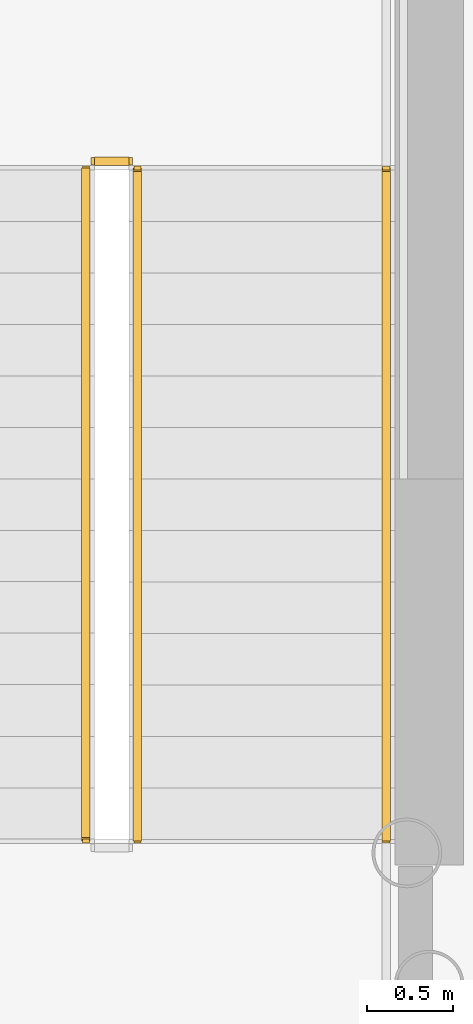
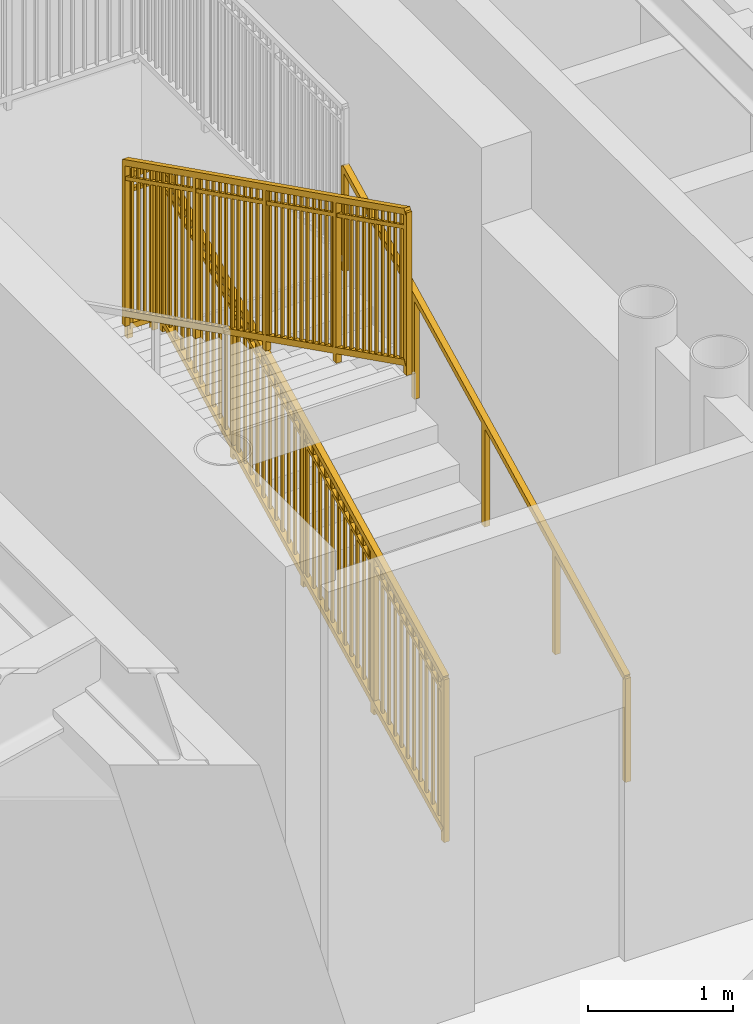
# One storey, part 15 of 20: 4 railings.
"""IFC4 building model written with IfcOpenShell, lengths in metres."""

from ifc_helpers import new_model, si_unit, direction, frame, origin, origin_2d, place, context, subcontext, project, spatial, rectangle, extrude, source, transform, mapped, material, type_object, element, save


model = new_model("IFC4")

# Units and contexts
model_context = context("Model", 3, precision=1e-05, world=origin(), true_north=direction((0.0, 1.0)))
body_context = subcontext(model_context, "Body", "Model", "MODEL_VIEW")
ifc_project = project(units=[si_unit("LENGTHUNIT", "METRE"), si_unit("AREAUNIT", "SQUARE_METRE"), si_unit("VOLUMEUNIT", "CUBIC_METRE"), si_unit("PLANEANGLEUNIT", "RADIAN"), si_unit("MASSUNIT", "GRAM", prefix="KILO")], contexts=[model_context])

# Site, building, storey
site_placement = place(None, origin())
site = spatial("IfcSite", under=ifc_project, at=site_placement, CompositionType="ELEMENT")
building_placement = place(site_placement, origin())
building = spatial("IfcBuilding", under=site, at=building_placement, Name="Linh Dai School and Residence Tower", CompositionType="ELEMENT")
storey_placement = place(building_placement, frame((0.0, 0.0, 66.0)))
storey = spatial("IfcBuildingStorey", under=building, at=storey_placement, Name="L15", CompositionType="ELEMENT", Elevation=66.0)

# Railings
ifc_material_1 = material(Name="Structural Steel S355JR", Category="steel")
railing_type_1 = type_object("IfcRailingType", Name="RL-ST-GUARD-1400", PredefinedType="GUARDRAIL", material=ifc_material_1)
shared_shape_1 = source(origin(), body_context, "Body", "SweptSolid", [
    extrude(rectangle(XDim=0.048095703125, YDim=0.048095703125, at=origin_2d()), frame((0.0, 0.0, 1.3759765625), z_axis=(-1.0, 0.0, 0.0), x_axis=(0.0, -1.0, 0.0)), (0.0, 0.0, 1.0), 0.199951171875),
    extrude(rectangle(XDim=0.048095703125, YDim=0.048095703125, at=origin_2d()), frame((0.0, 0.0, 0.10009765625), z_axis=(-1.0, 0.0, 0.0), x_axis=(0.0, -1.0, 0.0)), (0.0, 0.0, 1.0), 0.199951171875),
    extrude(rectangle(XDim=0.030029296875, YDim=0.030029296875, at=origin_2d()), frame((0.0, 0.0, 1.239990234375), z_axis=(-1.0, 0.0, 0.0), x_axis=(0.0, -1.0, 0.0)), (0.0, 0.0, 1.0), 0.199951171875),
    extrude(rectangle(XDim=0.0419921875, YDim=0.0419921875, at=origin_2d()), origin(), (0.0, 0.0, 1.0), 1.3759765625),
    extrude(rectangle(XDim=0.0419921875, YDim=0.0419921875, at=origin_2d()), frame((-0.199951171875, 0.0, 0.0)), (0.0, 0.0, 1.0), 1.3759765625),
])
railing_1_placement = place(storey_placement, frame((29.429931640625, 29.64990234375, 2.10009765625)))
element("IfcRailing", 1, at=railing_1_placement, inside=storey, type_object=railing_type_1, Name="L15 ST1 stair guard 2", PredefinedType="GUARDRAIL", context=body_context, shape_type="MappedRepresentation", body=[
    mapped(shared_shape_1, transform((0.0, 0.0, 0.0), x_axis=(1.0, 0.0, 0.0), y_axis=(0.0, 1.0, 0.0), z_axis=(0.0, 0.0, 1.0), scale=1.0)),
])
shared_shape_2 = source(origin(), body_context, "Body", "SweptSolid", [
    extrude(rectangle(XDim=0.048095703125, YDim=0.048095703125, at=origin_2d()), frame((0.0, 0.0, 1.3759765625), z_axis=(0.0, 0.894415993023, 0.447235990752), x_axis=(-1.0, 0.0, 0.0)), (0.0, 0.0, 1.0), 4.360595703125),
    extrude(rectangle(XDim=0.048095703125, YDim=0.048095703125, at=origin_2d()), frame((0.0, 0.0, 0.10009765625), z_axis=(0.0, 0.894415993023, 0.447235990752), x_axis=(-1.0, 0.0, 0.0)), (0.0, 0.0, 1.0), 4.360595703125),
    extrude(rectangle(XDim=0.030029296875, YDim=0.030029296875, at=origin_2d()), frame((0.0, 0.0, 1.239990234375), z_axis=(0.0, 0.894415993023, 0.447235990752), x_axis=(-1.0, 0.0, 0.0)), (0.0, 0.0, 1.0), 4.360595703125),
    extrude(rectangle(XDim=0.02001953125, YDim=0.02001953125, at=origin_2d()), frame((0.0, 0.086669921875, 0.1435546875)), (0.0, 0.0, 1.0), 1.251708984375),
    extrude(rectangle(XDim=0.02001953125, YDim=0.02001953125, at=origin_2d()), frame((0.0, 0.17333984375, 0.186767578125)), (0.0, 0.0, 1.0), 1.251708984375),
    extrude(rectangle(XDim=0.02001953125, YDim=0.02001953125, at=origin_2d()), frame((0.0, 0.260009765625, 0.230224609375)), (0.0, 0.0, 1.0), 1.251708984375),
    extrude(rectangle(XDim=0.02001953125, YDim=0.02001953125, at=origin_2d()), frame((0.0, 0.3466796875, 0.2734375)), (0.0, 0.0, 1.0), 1.251708984375),
    extrude(rectangle(XDim=0.02001953125, YDim=0.02001953125, at=origin_2d()), frame((0.0, 0.433349609375, 0.31689453125)), (0.0, 0.0, 1.0), 1.251708984375),
    extrude(rectangle(XDim=0.02001953125, YDim=0.02001953125, at=origin_2d()), frame((0.0, 0.52001953125, 0.360107421875)), (0.0, 0.0, 1.0), 1.251708984375),
    extrude(rectangle(XDim=0.02001953125, YDim=0.02001953125, at=origin_2d()), frame((0.0, 0.606689453125, 0.403564453125)), (0.0, 0.0, 1.0), 1.251708984375),
    extrude(rectangle(XDim=0.02001953125, YDim=0.02001953125, at=origin_2d()), frame((0.0, 0.693359375, 0.44677734375)), (0.0, 0.0, 1.0), 1.251708984375),
    extrude(rectangle(XDim=0.02001953125, YDim=0.02001953125, at=origin_2d()), frame((0.0, 0.780029296875, 0.490234375)), (0.0, 0.0, 1.0), 1.251708984375),
    extrude(rectangle(XDim=0.02001953125, YDim=0.02001953125, at=origin_2d()), frame((0.0, 0.86669921875, 0.533447265625)), (0.0, 0.0, 1.0), 1.251708984375),
    extrude(rectangle(XDim=0.02001953125, YDim=0.02001953125, at=origin_2d()), frame((0.0, 1.0400390625, 0.6201171875)), (0.0, 0.0, 1.0), 1.251708984375),
    extrude(rectangle(XDim=0.02001953125, YDim=0.02001953125, at=origin_2d()), frame((0.0, 1.126708984375, 0.66357421875)), (0.0, 0.0, 1.0), 1.251708984375),
    extrude(rectangle(XDim=0.02001953125, YDim=0.02001953125, at=origin_2d()), frame((0.0, 1.21337890625, 0.706787109375)), (0.0, 0.0, 1.0), 1.251708984375),
    extrude(rectangle(XDim=0.02001953125, YDim=0.02001953125, at=origin_2d()), frame((0.0, 1.300048828125, 0.750244140625)), (0.0, 0.0, 1.0), 1.251708984375),
    extrude(rectangle(XDim=0.02001953125, YDim=0.02001953125, at=origin_2d()), frame((0.0, 1.38671875, 0.79345703125)), (0.0, 0.0, 1.0), 1.251708984375),
    extrude(rectangle(XDim=0.02001953125, YDim=0.02001953125, at=origin_2d()), frame((0.0, 1.473388671875, 0.8369140625)), (0.0, 0.0, 1.0), 1.251708984375),
    extrude(rectangle(XDim=0.02001953125, YDim=0.02001953125, at=origin_2d()), frame((0.0, 1.56005859375, 0.880126953125)), (0.0, 0.0, 1.0), 1.251708984375),
    extrude(rectangle(XDim=0.02001953125, YDim=0.02001953125, at=origin_2d()), frame((0.0, 1.646728515625, 0.923583984375)), (0.0, 0.0, 1.0), 1.251708984375),
    extrude(rectangle(XDim=0.02001953125, YDim=0.02001953125, at=origin_2d()), frame((0.0, 1.7333984375, 0.966796875)), (0.0, 0.0, 1.0), 1.251708984375),
    extrude(rectangle(XDim=0.02001953125, YDim=0.02001953125, at=origin_2d()), frame((0.0, 1.820068359375, 1.01025390625)), (0.0, 0.0, 1.0), 1.251708984375),
    extrude(rectangle(XDim=0.02001953125, YDim=0.02001953125, at=origin_2d()), frame((0.0, 1.90673828125, 1.053466796875)), (0.0, 0.0, 1.0), 1.251708984375),
    extrude(rectangle(XDim=0.02001953125, YDim=0.02001953125, at=origin_2d()), frame((0.0, 1.993408203125, 1.096923828125)), (0.0, 0.0, 1.0), 1.251708984375),
    extrude(rectangle(XDim=0.02001953125, YDim=0.02001953125, at=origin_2d()), frame((0.0, 2.080078125, 1.14013671875)), (0.0, 0.0, 1.0), 1.251708984375),
    extrude(rectangle(XDim=0.02001953125, YDim=0.02001953125, at=origin_2d()), frame((0.0, 2.166748046875, 1.18359375)), (0.0, 0.0, 1.0), 1.251708984375),
    extrude(rectangle(XDim=0.02001953125, YDim=0.02001953125, at=origin_2d()), frame((0.0, 2.25341796875, 1.226806640625)), (0.0, 0.0, 1.0), 1.251708984375),
    extrude(rectangle(XDim=0.02001953125, YDim=0.02001953125, at=origin_2d()), frame((0.0, 2.340087890625, 1.270263671875)), (0.0, 0.0, 1.0), 1.251708984375),
    extrude(rectangle(XDim=0.02001953125, YDim=0.02001953125, at=origin_2d()), frame((0.0, 2.4267578125, 1.3134765625)), (0.0, 0.0, 1.0), 1.251708984375),
    extrude(rectangle(XDim=0.02001953125, YDim=0.02001953125, at=origin_2d()), frame((0.0, 2.513427734375, 1.35693359375)), (0.0, 0.0, 1.0), 1.251708984375),
    extrude(rectangle(XDim=0.02001953125, YDim=0.02001953125, at=origin_2d()), frame((0.0, 2.60009765625, 1.400146484375)), (0.0, 0.0, 1.0), 1.251708984375),
    extrude(rectangle(XDim=0.02001953125, YDim=0.02001953125, at=origin_2d()), frame((0.0, 2.686767578125, 1.443603515625)), (0.0, 0.0, 1.0), 1.251708984375),
    extrude(rectangle(XDim=0.02001953125, YDim=0.02001953125, at=origin_2d()), frame((0.0, 2.7734375, 1.48681640625)), (0.0, 0.0, 1.0), 1.251708984375),
    extrude(rectangle(XDim=0.02001953125, YDim=0.02001953125, at=origin_2d()), frame((0.0, 2.860107421875, 1.5302734375)), (0.0, 0.0, 1.0), 1.251708984375),
    extrude(rectangle(XDim=0.02001953125, YDim=0.02001953125, at=origin_2d()), frame((0.0, 3.033447265625, 1.616943359375)), (0.0, 0.0, 1.0), 1.251708984375),
    extrude(rectangle(XDim=0.02001953125, YDim=0.02001953125, at=origin_2d()), frame((0.0, 3.1201171875, 1.66015625)), (0.0, 0.0, 1.0), 1.251708984375),
    extrude(rectangle(XDim=0.02001953125, YDim=0.02001953125, at=origin_2d()), frame((0.0, 3.206787109375, 1.70361328125)), (0.0, 0.0, 1.0), 1.251708984375),
    extrude(rectangle(XDim=0.02001953125, YDim=0.02001953125, at=origin_2d()), frame((0.0, 3.29345703125, 1.746826171875)), (0.0, 0.0, 1.0), 1.251708984375),
    extrude(rectangle(XDim=0.02001953125, YDim=0.02001953125, at=origin_2d()), frame((0.0, 3.380126953125, 1.790283203125)), (0.0, 0.0, 1.0), 1.251708984375),
    extrude(rectangle(XDim=0.02001953125, YDim=0.02001953125, at=origin_2d()), frame((0.0, 3.466796875, 1.83349609375)), (0.0, 0.0, 1.0), 1.251708984375),
    extrude(rectangle(XDim=0.02001953125, YDim=0.02001953125, at=origin_2d()), frame((0.0, 3.553466796875, 1.876953125)), (0.0, 0.0, 1.0), 1.251708984375),
    extrude(rectangle(XDim=0.02001953125, YDim=0.02001953125, at=origin_2d()), frame((0.0, 3.64013671875, 1.920166015625)), (0.0, 0.0, 1.0), 1.251708984375),
    extrude(rectangle(XDim=0.02001953125, YDim=0.02001953125, at=origin_2d()), frame((0.0, 3.726806640625, 1.963623046875)), (0.0, 0.0, 1.0), 1.251708984375),
    extrude(rectangle(XDim=0.02001953125, YDim=0.02001953125, at=origin_2d()), frame((0.0, 3.8134765625, 2.0068359375)), (0.0, 0.0, 1.0), 1.251708984375),
    extrude(rectangle(XDim=0.0419921875, YDim=0.0419921875, at=origin_2d()), origin(), (0.0, 0.0, 1.0), 1.3759765625),
    extrude(rectangle(XDim=0.0419921875, YDim=0.0419921875, at=origin_2d()), frame((0.0, 0.97509765625, 0.487548828125)), (0.0, 0.0, 1.0), 1.3759765625),
    extrude(rectangle(XDim=0.0419921875, YDim=0.0419921875, at=origin_2d()), frame((0.0, 1.9501953125, 0.97509765625)), (0.0, 0.0, 1.0), 1.3759765625),
    extrude(rectangle(XDim=0.0419921875, YDim=0.0419921875, at=origin_2d()), frame((0.0, 2.925048828125, 1.462646484375)), (0.0, 0.0, 1.0), 1.3759765625),
    extrude(rectangle(XDim=0.0419921875, YDim=0.0419921875, at=origin_2d()), frame((0.0, 3.900146484375, 1.9501953125)), (0.0, 0.0, 1.0), 1.3759765625),
])
railing_2_placement = place(storey_placement, frame((29.47998046875, 25.699951171875, 0.14990234375)))
element("IfcRailing", 2, at=railing_2_placement, inside=storey, type_object=railing_type_1, Name="L15 ST1 stair guard 1", PredefinedType="GUARDRAIL", context=body_context, shape_type="MappedRepresentation", body=[
    mapped(shared_shape_2, transform((0.0, 0.0, 0.0), x_axis=(1.0, 0.0, 0.0), y_axis=(0.0, 1.0, 0.0), z_axis=(0.0, 0.0, 1.0), scale=1.0)),
])
shared_shape_3 = source(origin(), body_context, "Body", "SweptSolid", [
    extrude(rectangle(XDim=0.048095703125, YDim=0.048095703125, at=origin_2d()), frame((0.0, 0.0, 1.3759765625), z_axis=(0.0, -0.894438388696, 0.447191199406), x_axis=(1.0, 0.0, 0.0)), (0.0, 0.0, 1.0), 4.3603515625),
    extrude(rectangle(XDim=0.048095703125, YDim=0.048095703125, at=origin_2d()), frame((0.0, 0.0, 0.10009765625), z_axis=(0.0, -0.894438388696, 0.447191199406), x_axis=(1.0, 0.0, 0.0)), (0.0, 0.0, 1.0), 4.3603515625),
    extrude(rectangle(XDim=0.030029296875, YDim=0.030029296875, at=origin_2d()), frame((0.0, 0.0, 1.239990234375), z_axis=(0.0, -0.894438388696, 0.447191199406), x_axis=(1.0, 0.0, 0.0)), (0.0, 0.0, 1.0), 4.3603515625),
    extrude(rectangle(XDim=0.02001953125, YDim=0.02001953125, at=origin_2d()), frame((0.0, -0.086669921875, 0.143310546875)), (0.0, 0.0, 1.0), 1.251708984375),
    extrude(rectangle(XDim=0.02001953125, YDim=0.02001953125, at=origin_2d()), frame((0.0, -0.17333984375, 0.186767578125)), (0.0, 0.0, 1.0), 1.251708984375),
    extrude(rectangle(XDim=0.02001953125, YDim=0.02001953125, at=origin_2d()), frame((0.0, -0.260009765625, 0.22998046875)), (0.0, 0.0, 1.0), 1.251708984375),
    extrude(rectangle(XDim=0.02001953125, YDim=0.02001953125, at=origin_2d()), frame((0.0, -0.3466796875, 0.2734375)), (0.0, 0.0, 1.0), 1.251708984375),
    extrude(rectangle(XDim=0.02001953125, YDim=0.02001953125, at=origin_2d()), frame((0.0, -0.433349609375, 0.316650390625)), (0.0, 0.0, 1.0), 1.251708984375),
    extrude(rectangle(XDim=0.02001953125, YDim=0.02001953125, at=origin_2d()), frame((0.0, -0.52001953125, 0.360107421875)), (0.0, 0.0, 1.0), 1.251708984375),
    extrude(rectangle(XDim=0.02001953125, YDim=0.02001953125, at=origin_2d()), frame((0.0, -0.606689453125, 0.4033203125)), (0.0, 0.0, 1.0), 1.251708984375),
    extrude(rectangle(XDim=0.02001953125, YDim=0.02001953125, at=origin_2d()), frame((0.0, -0.693359375, 0.44677734375)), (0.0, 0.0, 1.0), 1.251708984375),
    extrude(rectangle(XDim=0.02001953125, YDim=0.02001953125, at=origin_2d()), frame((0.0, -0.780029296875, 0.489990234375)), (0.0, 0.0, 1.0), 1.251708984375),
    extrude(rectangle(XDim=0.02001953125, YDim=0.02001953125, at=origin_2d()), frame((0.0, -0.86669921875, 0.533447265625)), (0.0, 0.0, 1.0), 1.251708984375),
    extrude(rectangle(XDim=0.02001953125, YDim=0.02001953125, at=origin_2d()), frame((0.0, -1.0400390625, 0.6201171875)), (0.0, 0.0, 1.0), 1.251708984375),
    extrude(rectangle(XDim=0.02001953125, YDim=0.02001953125, at=origin_2d()), frame((0.0, -1.126708984375, 0.663330078125)), (0.0, 0.0, 1.0), 1.251708984375),
    extrude(rectangle(XDim=0.02001953125, YDim=0.02001953125, at=origin_2d()), frame((0.0, -1.21337890625, 0.706787109375)), (0.0, 0.0, 1.0), 1.251708984375),
    extrude(rectangle(XDim=0.02001953125, YDim=0.02001953125, at=origin_2d()), frame((0.0, -1.300048828125, 0.75)), (0.0, 0.0, 1.0), 1.251708984375),
    extrude(rectangle(XDim=0.02001953125, YDim=0.02001953125, at=origin_2d()), frame((0.0, -1.38671875, 0.79345703125)), (0.0, 0.0, 1.0), 1.251708984375),
    extrude(rectangle(XDim=0.02001953125, YDim=0.02001953125, at=origin_2d()), frame((0.0, -1.473388671875, 0.836669921875)), (0.0, 0.0, 1.0), 1.251708984375),
    extrude(rectangle(XDim=0.02001953125, YDim=0.02001953125, at=origin_2d()), frame((0.0, -1.56005859375, 0.880126953125)), (0.0, 0.0, 1.0), 1.251708984375),
    extrude(rectangle(XDim=0.02001953125, YDim=0.02001953125, at=origin_2d()), frame((0.0, -1.646728515625, 0.92333984375)), (0.0, 0.0, 1.0), 1.251708984375),
    extrude(rectangle(XDim=0.02001953125, YDim=0.02001953125, at=origin_2d()), frame((0.0, -1.7333984375, 0.966796875)), (0.0, 0.0, 1.0), 1.251708984375),
    extrude(rectangle(XDim=0.02001953125, YDim=0.02001953125, at=origin_2d()), frame((0.0, -1.820068359375, 1.010009765625)), (0.0, 0.0, 1.0), 1.251708984375),
    extrude(rectangle(XDim=0.02001953125, YDim=0.02001953125, at=origin_2d()), frame((0.0, -1.90673828125, 1.053466796875)), (0.0, 0.0, 1.0), 1.251708984375),
    extrude(rectangle(XDim=0.02001953125, YDim=0.02001953125, at=origin_2d()), frame((0.0, -1.993408203125, 1.0966796875)), (0.0, 0.0, 1.0), 1.251708984375),
    extrude(rectangle(XDim=0.02001953125, YDim=0.02001953125, at=origin_2d()), frame((0.0, -2.080078125, 1.14013671875)), (0.0, 0.0, 1.0), 1.251708984375),
    extrude(rectangle(XDim=0.02001953125, YDim=0.02001953125, at=origin_2d()), frame((0.0, -2.166748046875, 1.183349609375)), (0.0, 0.0, 1.0), 1.251708984375),
    extrude(rectangle(XDim=0.02001953125, YDim=0.02001953125, at=origin_2d()), frame((0.0, -2.25341796875, 1.226806640625)), (0.0, 0.0, 1.0), 1.251708984375),
    extrude(rectangle(XDim=0.02001953125, YDim=0.02001953125, at=origin_2d()), frame((0.0, -2.340087890625, 1.27001953125)), (0.0, 0.0, 1.0), 1.251708984375),
    extrude(rectangle(XDim=0.02001953125, YDim=0.02001953125, at=origin_2d()), frame((0.0, -2.4267578125, 1.3134765625)), (0.0, 0.0, 1.0), 1.251708984375),
    extrude(rectangle(XDim=0.02001953125, YDim=0.02001953125, at=origin_2d()), frame((0.0, -2.513427734375, 1.356689453125)), (0.0, 0.0, 1.0), 1.251708984375),
    extrude(rectangle(XDim=0.02001953125, YDim=0.02001953125, at=origin_2d()), frame((0.0, -2.60009765625, 1.400146484375)), (0.0, 0.0, 1.0), 1.251708984375),
    extrude(rectangle(XDim=0.02001953125, YDim=0.02001953125, at=origin_2d()), frame((0.0, -2.686767578125, 1.443359375)), (0.0, 0.0, 1.0), 1.251708984375),
    extrude(rectangle(XDim=0.02001953125, YDim=0.02001953125, at=origin_2d()), frame((0.0, -2.7734375, 1.48681640625)), (0.0, 0.0, 1.0), 1.251708984375),
    extrude(rectangle(XDim=0.02001953125, YDim=0.02001953125, at=origin_2d()), frame((0.0, -2.860107421875, 1.530029296875)), (0.0, 0.0, 1.0), 1.251708984375),
    extrude(rectangle(XDim=0.02001953125, YDim=0.02001953125, at=origin_2d()), frame((0.0, -3.033447265625, 1.61669921875)), (0.0, 0.0, 1.0), 1.251708984375),
    extrude(rectangle(XDim=0.02001953125, YDim=0.02001953125, at=origin_2d()), frame((0.0, -3.1201171875, 1.66015625)), (0.0, 0.0, 1.0), 1.251708984375),
    extrude(rectangle(XDim=0.02001953125, YDim=0.02001953125, at=origin_2d()), frame((0.0, -3.206787109375, 1.703369140625)), (0.0, 0.0, 1.0), 1.251708984375),
    extrude(rectangle(XDim=0.02001953125, YDim=0.02001953125, at=origin_2d()), frame((0.0, -3.29345703125, 1.746826171875)), (0.0, 0.0, 1.0), 1.251708984375),
    extrude(rectangle(XDim=0.02001953125, YDim=0.02001953125, at=origin_2d()), frame((0.0, -3.380126953125, 1.7900390625)), (0.0, 0.0, 1.0), 1.251708984375),
    extrude(rectangle(XDim=0.02001953125, YDim=0.02001953125, at=origin_2d()), frame((0.0, -3.466796875, 1.83349609375)), (0.0, 0.0, 1.0), 1.251708984375),
    extrude(rectangle(XDim=0.02001953125, YDim=0.02001953125, at=origin_2d()), frame((0.0, -3.553466796875, 1.876708984375)), (0.0, 0.0, 1.0), 1.251708984375),
    extrude(rectangle(XDim=0.02001953125, YDim=0.02001953125, at=origin_2d()), frame((0.0, -3.64013671875, 1.920166015625)), (0.0, 0.0, 1.0), 1.251708984375),
    extrude(rectangle(XDim=0.02001953125, YDim=0.02001953125, at=origin_2d()), frame((0.0, -3.726806640625, 1.96337890625)), (0.0, 0.0, 1.0), 1.251708984375),
    extrude(rectangle(XDim=0.02001953125, YDim=0.02001953125, at=origin_2d()), frame((0.0, -3.8134765625, 2.0068359375)), (0.0, 0.0, 1.0), 1.251708984375),
    extrude(rectangle(XDim=0.0419921875, YDim=0.0419921875, at=origin_2d()), origin(), (0.0, 0.0, 1.0), 1.3759765625),
    extrude(rectangle(XDim=0.0419921875, YDim=0.0419921875, at=origin_2d()), frame((0.0, -0.97509765625, 0.487548828125)), (0.0, 0.0, 1.0), 1.3759765625),
    extrude(rectangle(XDim=0.0419921875, YDim=0.0419921875, at=origin_2d()), frame((0.0, -1.9501953125, 0.97509765625)), (0.0, 0.0, 1.0), 1.3759765625),
    extrude(rectangle(XDim=0.0419921875, YDim=0.0419921875, at=origin_2d()), frame((0.0, -2.925048828125, 1.46240234375)), (0.0, 0.0, 1.0), 1.3759765625),
    extrude(rectangle(XDim=0.0419921875, YDim=0.0419921875, at=origin_2d()), frame((0.0, -3.900146484375, 1.949951171875)), (0.0, 0.0, 1.0), 1.3759765625),
])
railing_3_placement = place(storey_placement, frame((29.179931640625, 29.60009765625, 2.25)))
element("IfcRailing", 3, at=railing_3_placement, inside=storey, type_object=railing_type_1, Name="L15 ST1 stair guard 6", PredefinedType="GUARDRAIL", context=body_context, shape_type="MappedRepresentation", body=[
    mapped(shared_shape_3, transform((0.0, 0.0, 0.0), x_axis=(1.0, 0.0, 0.0), y_axis=(0.0, 1.0, 0.0), z_axis=(0.0, 0.0, 1.0), scale=1.0)),
])
ifc_material_2 = material(Name="Brushed Stainless Steel Handrail", Category="steel")
railing_type_2 = type_object("IfcRailingType", Name="RL-ST-HANDRAIL-900", PredefinedType="HANDRAIL", material=ifc_material_2)
shared_shape_4 = source(origin(), body_context, "Body", "SweptSolid", [
    extrude(rectangle(XDim=0.048095703125, YDim=0.048095703125, at=origin_2d()), frame((0.0, 0.0, 0.8759765625), z_axis=(0.0, 0.894415993023, 0.447235990752), x_axis=(-1.0, 0.0, 0.0)), (0.0, 0.0, 1.0), 4.360595703125),
    extrude(rectangle(XDim=0.0419921875, YDim=0.0419921875, at=origin_2d()), origin(), (0.0, 0.0, 1.0), 0.8759765625),
    extrude(rectangle(XDim=0.0419921875, YDim=0.0419921875, at=origin_2d()), frame((0.0, 0.97509765625, 0.487548828125)), (0.0, 0.0, 1.0), 0.8759765625),
    extrude(rectangle(XDim=0.0419921875, YDim=0.0419921875, at=origin_2d()), frame((0.0, 1.9501953125, 0.97509765625)), (0.0, 0.0, 1.0), 0.8759765625),
    extrude(rectangle(XDim=0.0419921875, YDim=0.0419921875, at=origin_2d()), frame((0.0, 2.925048828125, 1.462646484375)), (0.0, 0.0, 1.0), 0.8759765625),
    extrude(rectangle(XDim=0.0419921875, YDim=0.0419921875, at=origin_2d()), frame((0.0, 3.900146484375, 1.9501953125)), (0.0, 0.0, 1.0), 0.8759765625),
])
railing_4_placement = place(storey_placement, frame((30.929931640625, 25.699951171875, 0.14990234375)))
element("IfcRailing", 4, at=railing_4_placement, inside=storey, type_object=railing_type_2, Name="L15 ST1 stair handrail 1", PredefinedType="HANDRAIL", context=body_context, shape_type="MappedRepresentation", body=[
    mapped(shared_shape_4, transform((0.0, 0.0, 0.0), x_axis=(1.0, 0.0, 0.0), y_axis=(0.0, 1.0, 0.0), z_axis=(0.0, 0.0, 1.0), scale=1.0)),
])

save(model, "model.ifc")
